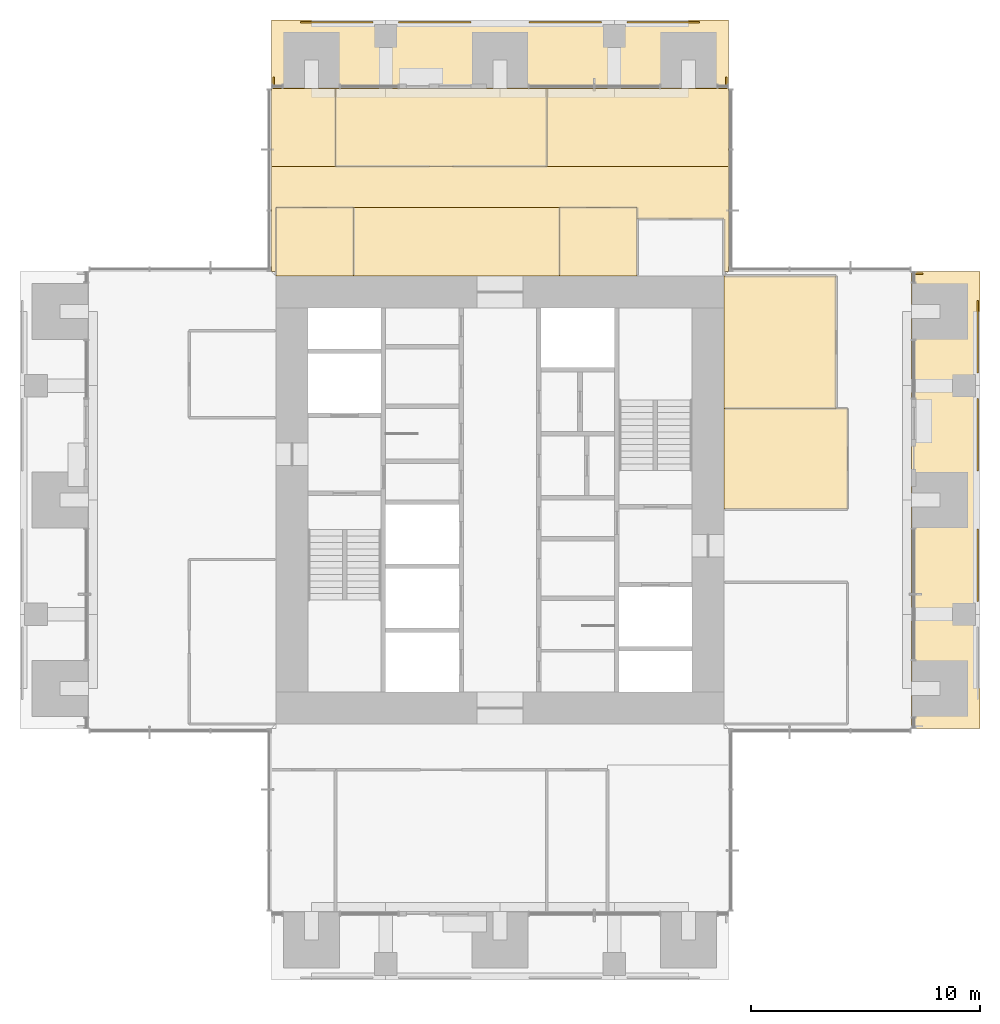
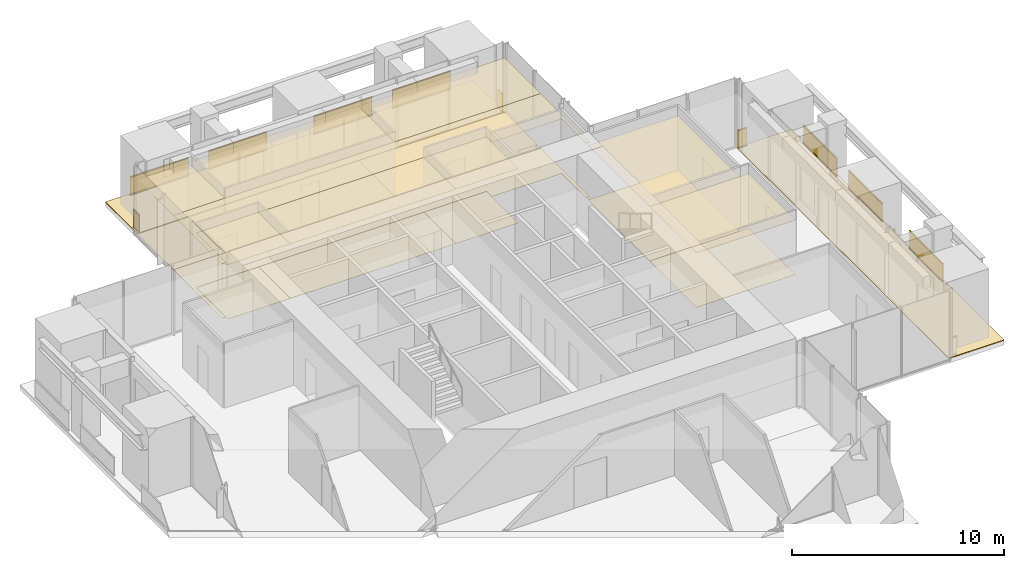
# One storey, part 16 of 17: 20 coverings, 10 railings.
"""IFC4 building model written with IfcOpenShell, lengths in metres."""

from ifc_helpers import new_model, si_unit, direction, frame, origin, origin_2d, place, context, subcontext, project, spatial, polyline, rectangle, outline, extrude, material, layer, layer_set, type_object, element, save


model = new_model("IFC4")

# Units and contexts
model_context = context("Model", 3, precision=1e-05, world=origin(), true_north=direction((0.0, 1.0)))
body_context = subcontext(model_context, "Body", "Model", "MODEL_VIEW")
ifc_project = project(units=[si_unit("LENGTHUNIT", "METRE"), si_unit("AREAUNIT", "SQUARE_METRE"), si_unit("VOLUMEUNIT", "CUBIC_METRE"), si_unit("PLANEANGLEUNIT", "RADIAN"), si_unit("MASSUNIT", "GRAM", prefix="KILO")], contexts=[model_context])

# Site, building, storey
site_placement = place(None, origin())
site = spatial("IfcSite", under=ifc_project, at=site_placement, CompositionType="ELEMENT")
building_placement = place(site_placement, origin())
building = spatial("IfcBuilding", under=site, at=building_placement, Name="Svetlomir Tower", CompositionType="ELEMENT")
storey_placement = place(building_placement, frame((0.0, 0.0, 174.5)))
storey = spatial("IfcBuildingStorey", under=building, at=storey_placement, Name="L41", CompositionType="ELEMENT", Elevation=174.5)

# Railings
ifc_material_1 = material(Name="Bronze anodised aluminium and laminated glass", Category="aluminium")
railing_type = type_object("IfcRailingType", Name="BALCONY GUARD GR1 1100", PredefinedType="GUARDRAIL", material=ifc_material_1)
for number, where, name in (
    (1, (41.89990234375, 16.550048828125, 0.0), "Loggia guard E L41 bay 2"),
    (2, (41.89990234375, 22.27490234375, 0.0), "Loggia guard E L41 bay 3"),
    (3, (41.89990234375, 26.550048828125, 0.0), "Loggia guard E L41 bay 4"),
):
    element("IfcRailing", number, at=place(storey_placement, frame(where)), inside=storey, type_object=railing_type, Name=name, PredefinedType="GUARDRAIL", context=body_context, shape_type="SweptSolid", body=[
        extrude(rectangle(XDim=0.06005859375, YDim=0.10009765625, at=origin_2d()), frame((0.0, 0.0, 0.050048828125), z_axis=(0.0, 1.0, 0.0), x_axis=(-1.0, 0.0, 0.0)), (0.0, 0.0, 1.0), 3.175048828125),
        extrude(rectangle(XDim=0.021484375, YDim=0.960205078125, at=origin_2d()), frame((0.0, 0.0, 0.580078125), z_axis=(0.0, 1.0, 0.0), x_axis=(-1.0, 0.0, 0.0)), (0.0, 0.0, 1.0), 3.175048828125),
        extrude(rectangle(XDim=0.06005859375, YDim=0.0400390625, at=origin_2d()), frame((0.0, 0.0, 1.080078125), z_axis=(0.0, 1.0, 0.0), x_axis=(-1.0, 0.0, 0.0)), (0.0, 0.0, 1.0), 3.175048828125),
    ])
railing_placement = place(storey_placement, frame((39.5, 30.89990234375, 0.0)))
element("IfcRailing", 4, at=railing_placement, inside=storey, type_object=railing_type, Name="Loggia guard E L41 end 2", PredefinedType="GUARDRAIL", context=body_context, shape_type="SweptSolid", body=[
    extrude(rectangle(XDim=0.06005859375, YDim=0.10009765625, at=origin_2d()), frame((0.0, 0.0, 0.050048828125), z_axis=(-1.0, 0.0, 0.0), x_axis=(0.0, -1.0, 0.0)), (0.0, 0.0, 1.0), 0.5),
    extrude(rectangle(XDim=0.021484375, YDim=0.960205078125, at=origin_2d()), frame((0.0, 0.0, 0.580078125), z_axis=(-1.0, 0.0, 0.0), x_axis=(0.0, -1.0, 0.0)), (0.0, 0.0, 1.0), 0.5),
    extrude(rectangle(XDim=0.06005859375, YDim=0.0400390625, at=origin_2d()), frame((0.0, 0.0, 1.080078125), z_axis=(-1.0, 0.0, 0.0), x_axis=(0.0, -1.0, 0.0)), (0.0, 0.0, 1.0), 0.5),
])
for number, where, name in (
    (5, (12.27490234375, 41.89990234375, 0.0), "Loggia guard N L41 bay 1"),
    (6, (16.550048828125, 41.89990234375, 0.0), "Loggia guard N L41 bay 2"),
    (7, (22.27490234375, 41.89990234375, 0.0), "Loggia guard N L41 bay 3"),
    (8, (26.550048828125, 41.89990234375, 0.0), "Loggia guard N L41 bay 4"),
):
    element("IfcRailing", number, at=place(storey_placement, frame(where)), inside=storey, type_object=railing_type, Name=name, PredefinedType="GUARDRAIL", context=body_context, shape_type="SweptSolid", body=[
        extrude(rectangle(XDim=0.06005859375, YDim=0.10009765625, at=origin_2d()), frame((0.0, 0.0, 0.050048828125), z_axis=(1.0, 0.0, 0.0), x_axis=(0.0, 1.0, 0.0)), (0.0, 0.0, 1.0), 3.175048828125),
        extrude(rectangle(XDim=0.021484375, YDim=0.960205078125, at=origin_2d()), frame((0.0, 0.0, 0.580078125), z_axis=(1.0, 0.0, 0.0), x_axis=(0.0, 1.0, 0.0)), (0.0, 0.0, 1.0), 3.175048828125),
        extrude(rectangle(XDim=0.06005859375, YDim=0.0400390625, at=origin_2d()), frame((0.0, 0.0, 1.080078125), z_axis=(1.0, 0.0, 0.0), x_axis=(0.0, 1.0, 0.0)), (0.0, 0.0, 1.0), 3.175048828125),
    ])
for number, where, name in (
    (9, (11.10009765625, 39.5, 0.0), "Loggia guard N L41 end 1"),
    (10, (30.89990234375, 39.5, 0.0), "Loggia guard N L41 end 2"),
):
    element("IfcRailing", number, at=place(storey_placement, frame(where)), inside=storey, type_object=railing_type, Name=name, PredefinedType="GUARDRAIL", context=body_context, shape_type="SweptSolid", body=[
        extrude(rectangle(XDim=0.06005859375, YDim=0.10009765625, at=origin_2d()), frame((0.0, 0.0, 0.050048828125), z_axis=(0.0, -1.0, 0.0), x_axis=(1.0, 0.0, 0.0)), (0.0, 0.0, 1.0), 0.5),
        extrude(rectangle(XDim=0.021484375, YDim=0.960205078125, at=origin_2d()), frame((0.0, 0.0, 0.580078125), z_axis=(0.0, -1.0, 0.0), x_axis=(1.0, 0.0, 0.0)), (0.0, 0.0, 1.0), 0.5),
        extrude(rectangle(XDim=0.06005859375, YDim=0.0400390625, at=origin_2d()), frame((0.0, 0.0, 1.080078125), z_axis=(0.0, -1.0, 0.0), x_axis=(1.0, 0.0, 0.0)), (0.0, 0.0, 1.0), 0.5),
    ])

# Coverings
ifc_material_2 = material(Name="Granite paving slabs on pedestals", Category="masonry")
ifc_layer_1 = layer(ifc_material_2, 0.0400390625)
ifc_layer_set_1 = layer_set([ifc_layer_1], Name="Granite paving slabs on pedestals")
covering_type_1 = type_object("IfcCoveringType", Name="BALCONY PAVING 40", PredefinedType="USERDEFINED", material=ifc_layer_set_1)
covering_1_placement = place(storey_placement, origin())
element("IfcCovering", 11, at=covering_1_placement, inside=storey, type_object=covering_type_1, Name="Loggia paving E L41", ObjectType="BALCONY PAVING", PredefinedType="USERDEFINED", context=body_context, shape_type="SweptSolid", body=[
    extrude(outline(polyline([(39.0, 11.0), (42.0, 11.0), (42.0, 31.0), (39.0, 31.0), (39.0, 11.0)])), origin(), (0.0, 0.0, 1.0), 0.0400390625),
])
covering_2_placement = place(storey_placement, origin())
element("IfcCovering", 12, at=covering_2_placement, inside=storey, type_object=covering_type_1, Name="Loggia paving N L41", ObjectType="BALCONY PAVING", PredefinedType="USERDEFINED", context=body_context, shape_type="SweptSolid", body=[
    extrude(outline(polyline([(11.0, 39.0), (31.0, 39.0), (31.0, 42.0), (11.0, 42.0), (11.0, 39.0)])), origin(), (0.0, 0.0, 1.0), 0.0400390625),
])
ifc_material_3 = material(Name="Carpet tile", Category="textile")
ifc_layer_2 = layer(ifc_material_3, 0.010009765625)
ifc_layer_set_2 = layer_set([ifc_layer_2], Name="Carpet tile")
covering_type_2 = type_object("IfcCoveringType", Name="CARPET TILE FLOOR 10", PredefinedType="FLOORING", material=ifc_layer_set_2)
covering_3_placement = place(storey_placement, origin())
element("IfcCovering", 13, at=covering_3_placement, inside=storey, type_object=covering_type_2, Name="Floor finish L41-22", PredefinedType="FLOORING", context=body_context, shape_type="SweptSolid", body=[
    extrude(outline(polyline([(30.800048828125, 20.60009765625), (36.199951171875, 20.60009765625), (36.199951171875, 25.0), (30.800048828125, 25.0), (30.800048828125, 20.60009765625)])), origin(), (0.0, 0.0, 1.0), 0.010009765625),
])
covering_4_placement = place(storey_placement, origin())
element("IfcCovering", 14, at=covering_4_placement, inside=storey, type_object=covering_type_2, Name="Floor finish L41-23", PredefinedType="FLOORING", context=body_context, shape_type="SweptSolid", body=[
    extrude(outline(polyline([(30.800048828125, 25.0), (35.699951171875, 25.0), (35.699951171875, 30.800048828125), (30.800048828125, 30.800048828125), (30.800048828125, 25.0)])), origin(), (0.0, 0.0, 1.0), 0.010009765625),
])
covering_5_placement = place(storey_placement, origin())
element("IfcCovering", 15, at=covering_5_placement, inside=storey, type_object=covering_type_2, Name="Floor finish L41-24", PredefinedType="FLOORING", context=body_context, shape_type="SweptSolid", body=[
    extrude(outline(polyline([(11.199951171875, 30.800048828125), (14.60009765625, 30.800048828125), (14.60009765625, 33.800048828125), (11.199951171875, 33.800048828125), (11.199951171875, 30.800048828125)])), origin(), (0.0, 0.0, 1.0), 0.010009765625),
])
covering_6_placement = place(storey_placement, origin())
element("IfcCovering", 16, at=covering_6_placement, inside=storey, type_object=covering_type_2, Name="Floor finish L41-25", PredefinedType="FLOORING", context=body_context, shape_type="SweptSolid", body=[
    extrude(outline(polyline([(23.60009765625, 30.800048828125), (27.0, 30.800048828125), (27.0, 33.800048828125), (23.60009765625, 33.800048828125), (23.60009765625, 30.800048828125)])), origin(), (0.0, 0.0, 1.0), 0.010009765625),
])
covering_7_placement = place(storey_placement, origin())
element("IfcCovering", 17, at=covering_7_placement, inside=storey, type_object=covering_type_2, Name="Floor finish L41-27", PredefinedType="FLOORING", context=body_context, shape_type="SweptSolid", body=[
    extrude(outline(polyline([(13.800048828125, 35.60009765625), (23.050048828125, 35.60009765625), (23.050048828125, 39.0), (13.800048828125, 39.0), (13.800048828125, 35.60009765625)])), origin(), (0.0, 0.0, 1.0), 0.010009765625),
])
covering_8_placement = place(storey_placement, origin())
element("IfcCovering", 18, at=covering_8_placement, inside=storey, type_object=covering_type_2, Name="Floor finish L41-31", PredefinedType="FLOORING", context=body_context, shape_type="SweptSolid", body=[
    extrude(outline(polyline([(11.0, 35.60009765625), (31.0, 35.60009765625), (31.0, 31.0), (30.800048828125, 31.0), (30.800048828125, 33.300048828125), (27.0, 33.300048828125), (27.0, 33.800048828125), (11.199951171875, 33.800048828125), (11.199951171875, 31.0), (11.0, 31.0), (11.0, 35.60009765625)])), origin(), (0.0, 0.0, 1.0), 0.010009765625),
])
covering_9_placement = place(storey_placement, origin())
element("IfcCovering", 19, at=covering_9_placement, inside=storey, type_object=covering_type_2, Name="Floor finish L41-34", PredefinedType="FLOORING", context=body_context, shape_type="SweptSolid", body=[
    extrude(outline(polyline([(11.0, 35.60009765625), (11.0, 39.0), (13.800048828125, 39.0), (13.800048828125, 35.60009765625), (11.0, 35.60009765625)])), origin(), (0.0, 0.0, 1.0), 0.010009765625),
])
covering_10_placement = place(storey_placement, origin())
element("IfcCovering", 20, at=covering_10_placement, inside=storey, type_object=covering_type_2, Name="Floor finish L41-35", PredefinedType="FLOORING", context=body_context, shape_type="SweptSolid", body=[
    extrude(outline(polyline([(23.050048828125, 35.60009765625), (23.050048828125, 39.0), (31.0, 39.0), (31.0, 35.60009765625), (23.050048828125, 35.60009765625)])), origin(), (0.0, 0.0, 1.0), 0.010009765625),
])
covering_11_placement = place(storey_placement, origin())
element("IfcCovering", 21, at=covering_11_placement, inside=storey, type_object=covering_type_2, Name="Floor finish L41-36", PredefinedType="FLOORING", context=body_context, shape_type="SweptSolid", body=[
    extrude(outline(polyline([(14.60009765625, 30.800048828125), (14.60009765625, 33.800048828125), (23.60009765625, 33.800048828125), (23.60009765625, 30.800048828125), (14.60009765625, 30.800048828125)])), origin(), (0.0, 0.0, 1.0), 0.010009765625),
])
ifc_material_4 = material(Name="Mineral fibre ceiling tile", Category="mineral")
ifc_layer_3 = layer(ifc_material_4, 0.02001953125)
ifc_layer_set_3 = layer_set([ifc_layer_3], Name="Mineral fibre ceiling tile")
covering_type_3 = type_object("IfcCoveringType", Name="SUSPENDED CEILING 20", PredefinedType="CEILING", material=ifc_layer_set_3)
covering_12_placement = place(storey_placement, frame((0.0, 0.0, 3.1298828125)))
element("IfcCovering", 22, at=covering_12_placement, inside=storey, type_object=covering_type_3, Name="Ceiling L41-22", PredefinedType="CEILING", context=body_context, shape_type="SweptSolid", body=[
    extrude(outline(polyline([(30.800048828125, 20.60009765625), (36.199951171875, 20.60009765625), (36.199951171875, 25.0), (30.800048828125, 25.0), (30.800048828125, 20.60009765625)])), origin(), (0.0, 0.0, 1.0), 0.02001953125),
])
covering_13_placement = place(storey_placement, frame((0.0, 0.0, 3.1298828125)))
element("IfcCovering", 23, at=covering_13_placement, inside=storey, type_object=covering_type_3, Name="Ceiling L41-23", PredefinedType="CEILING", context=body_context, shape_type="SweptSolid", body=[
    extrude(outline(polyline([(30.800048828125, 25.0), (35.699951171875, 25.0), (35.699951171875, 30.800048828125), (30.800048828125, 30.800048828125), (30.800048828125, 25.0)])), origin(), (0.0, 0.0, 1.0), 0.02001953125),
])
covering_14_placement = place(storey_placement, frame((0.0, 0.0, 3.1298828125)))
element("IfcCovering", 24, at=covering_14_placement, inside=storey, type_object=covering_type_3, Name="Ceiling L41-24", PredefinedType="CEILING", context=body_context, shape_type="SweptSolid", body=[
    extrude(outline(polyline([(11.199951171875, 30.800048828125), (14.60009765625, 30.800048828125), (14.60009765625, 33.800048828125), (11.199951171875, 33.800048828125), (11.199951171875, 30.800048828125)])), origin(), (0.0, 0.0, 1.0), 0.02001953125),
])
covering_15_placement = place(storey_placement, frame((0.0, 0.0, 3.1298828125)))
element("IfcCovering", 25, at=covering_15_placement, inside=storey, type_object=covering_type_3, Name="Ceiling L41-25", PredefinedType="CEILING", context=body_context, shape_type="SweptSolid", body=[
    extrude(outline(polyline([(23.60009765625, 30.800048828125), (27.0, 30.800048828125), (27.0, 33.800048828125), (23.60009765625, 33.800048828125), (23.60009765625, 30.800048828125)])), origin(), (0.0, 0.0, 1.0), 0.02001953125),
])
covering_16_placement = place(storey_placement, frame((0.0, 0.0, 3.1298828125)))
element("IfcCovering", 26, at=covering_16_placement, inside=storey, type_object=covering_type_3, Name="Ceiling L41-27", PredefinedType="CEILING", context=body_context, shape_type="SweptSolid", body=[
    extrude(outline(polyline([(13.800048828125, 35.60009765625), (23.050048828125, 35.60009765625), (23.050048828125, 39.0), (13.800048828125, 39.0), (13.800048828125, 35.60009765625)])), origin(), (0.0, 0.0, 1.0), 0.02001953125),
])
covering_17_placement = place(storey_placement, frame((0.0, 0.0, 3.1298828125)))
element("IfcCovering", 27, at=covering_17_placement, inside=storey, type_object=covering_type_3, Name="Ceiling L41-31", PredefinedType="CEILING", context=body_context, shape_type="SweptSolid", body=[
    extrude(outline(polyline([(11.0, 35.60009765625), (31.0, 35.60009765625), (31.0, 31.0), (30.800048828125, 31.0), (30.800048828125, 33.300048828125), (27.0, 33.300048828125), (27.0, 33.800048828125), (11.199951171875, 33.800048828125), (11.199951171875, 31.0), (11.0, 31.0), (11.0, 35.60009765625)])), origin(), (0.0, 0.0, 1.0), 0.02001953125),
])
covering_18_placement = place(storey_placement, frame((0.0, 0.0, 3.1298828125)))
element("IfcCovering", 28, at=covering_18_placement, inside=storey, type_object=covering_type_3, Name="Ceiling L41-34", PredefinedType="CEILING", context=body_context, shape_type="SweptSolid", body=[
    extrude(outline(polyline([(11.0, 35.60009765625), (11.0, 39.0), (13.800048828125, 39.0), (13.800048828125, 35.60009765625), (11.0, 35.60009765625)])), origin(), (0.0, 0.0, 1.0), 0.02001953125),
])
covering_19_placement = place(storey_placement, frame((0.0, 0.0, 3.1298828125)))
element("IfcCovering", 29, at=covering_19_placement, inside=storey, type_object=covering_type_3, Name="Ceiling L41-35", PredefinedType="CEILING", context=body_context, shape_type="SweptSolid", body=[
    extrude(outline(polyline([(23.050048828125, 35.60009765625), (23.050048828125, 39.0), (31.0, 39.0), (31.0, 35.60009765625), (23.050048828125, 35.60009765625)])), origin(), (0.0, 0.0, 1.0), 0.02001953125),
])
covering_20_placement = place(storey_placement, frame((0.0, 0.0, 3.1298828125)))
element("IfcCovering", 30, at=covering_20_placement, inside=storey, type_object=covering_type_3, Name="Ceiling L41-36", PredefinedType="CEILING", context=body_context, shape_type="SweptSolid", body=[
    extrude(outline(polyline([(14.60009765625, 30.800048828125), (14.60009765625, 33.800048828125), (23.60009765625, 33.800048828125), (23.60009765625, 30.800048828125), (14.60009765625, 30.800048828125)])), origin(), (0.0, 0.0, 1.0), 0.02001953125),
])

save(model, "model.ifc")
